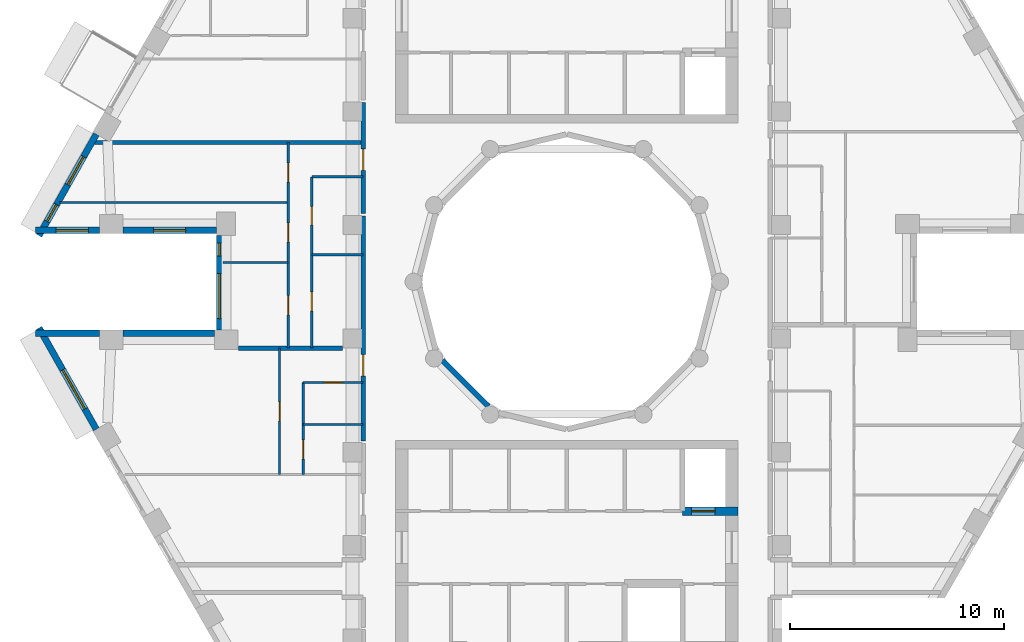
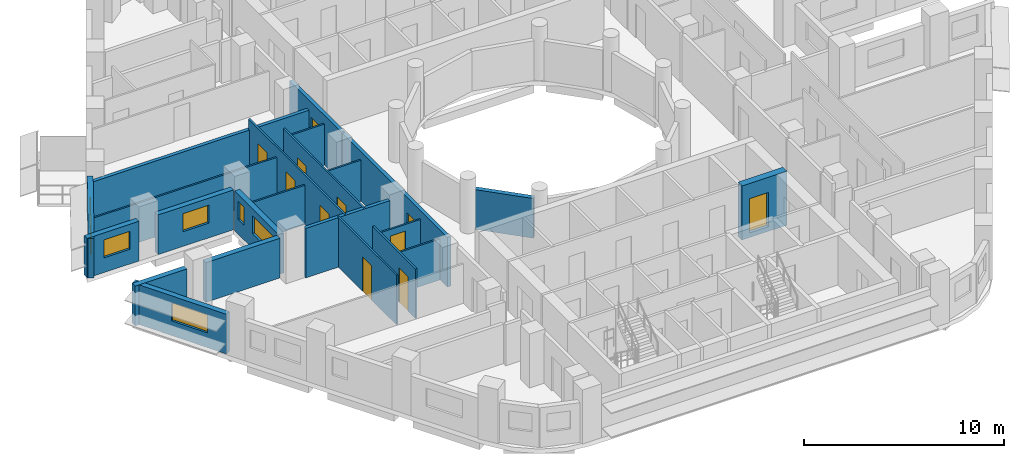
# One storey, part 4 of 13: 23 walls, 11 doors, 7 windows, 18 openings.
"""IFC4 building model written with IfcOpenShell, lengths in metres."""

from ifc_helpers import new_model, si_unit, direction, frame, frame_2d, origin, place, context, subcontext, project, spatial, rectangle, extrude, material, layer, layer_set, type_object, element, fill, save


model = new_model("IFC4")

# Units and contexts
model_context = context("Model", 3, precision=1e-05, world=origin(), true_north=direction((0.0, 1.0)))
body_context = subcontext(model_context, "Body", "Model", "MODEL_VIEW")
ifc_project = project(units=[si_unit("LENGTHUNIT", "METRE"), si_unit("AREAUNIT", "SQUARE_METRE"), si_unit("VOLUMEUNIT", "CUBIC_METRE"), si_unit("PLANEANGLEUNIT", "RADIAN"), si_unit("MASSUNIT", "GRAM", prefix="KILO")], contexts=[model_context])

# Site, building, storey
site_placement = place(None, origin())
site = spatial("IfcSite", under=ifc_project, at=site_placement, CompositionType="ELEMENT")
building_placement = place(site_placement, origin())
building = spatial("IfcBuilding", under=site, at=building_placement, Name="Nakaniwa Court", CompositionType="ELEMENT")
storey_placement = place(building_placement, frame((0.0, 0.0, 242.699951171875)))
storey = spatial("IfcBuildingStorey", under=building, at=storey_placement, Name="L63", CompositionType="ELEMENT", Elevation=242.699951171875)

# Wall, opening, door
ifc_material_1 = material(Name="Acoustic double stud partition")
ifc_layer_1 = layer(ifc_material_1, 0.199951171875)
ifc_layer_set_1 = layer_set([ifc_layer_1], Name="Acoustic double stud partition")
wall_type_1 = type_object("IfcWallType", Name="Acoustic double stud partition 200", PredefinedType="PARTITIONING", material=ifc_layer_set_1)
wall_1_placement = place(storey_placement, frame((70.5, 72.576904296875, 0.0), z_axis=(0.0, 0.0, 1.0), x_axis=(0.0, 1.0, 0.0)))
wall_1 = element("IfcWall", 1, at=wall_1_placement, inside=storey, type_object=wall_type_1, Name="Partition PW-094", PredefinedType="PARTITIONING", context=body_context, shape_type="SweptSolid", body=[
    extrude(rectangle(XDim=10.486083984375, YDim=0.199951171875, at=frame_2d((5.2431640625, 0.0))), origin(), (0.0, 0.0, 1.0), 3.025146484375),
])
opening_1_placement = place(wall_1_placement, frame((3.02294921875, 0.0, 0.0)))
opening_1 = element("IfcOpeningElement", 2, at=opening_1_placement, cuts=wall_1, Name="Opening D-01-03", PredefinedType="OPENING", context=body_context, shape_type="SweptSolid", body=[
    extrude(rectangle(XDim=1.0, YDim=2.10009765625, at=frame_2d((0.5, 1.050048828125))), frame((0.0, 0.10986328125, 0.0), z_axis=(0.0, -1.0, 0.0), x_axis=(1.0, 0.0, 0.0)), (0.0, 0.0, 1.0), 0.219970703125),
])
ifc_material_2 = material(Name="Solid core timber door set, black veneer", Category="wood")
door_type_1 = type_object("IfcDoorType", Name="Flat entrance door 1000", OperationType="NOTDEFINED", PredefinedType="DOOR", material=ifc_material_2)
door_1_placement = place(opening_1_placement, origin())
door_1 = element("IfcDoor", 3, at=door_1_placement, inside=storey, type_object=door_type_1, Name="Door D-01-03 L63-045", OperationType="SINGLE_SWING_RIGHT", OverallHeight=2.10009765625, OverallWidth=1.0, PredefinedType="DOOR", context=body_context, shape_type="SweptSolid", body=[
    extrude(rectangle(XDim=1.0, YDim=2.10009765625, at=frame_2d((0.5, 1.050048828125))), frame((0.0, 0.02490234375, 0.0), z_axis=(0.0, -1.0, 0.0), x_axis=(1.0, 0.0, 0.0)), (0.0, 0.0, 1.0), 0.050048828125),
])
fill(opening_1, door_1)

wall_2_placement = place(storey_placement, frame((70.5, 83.177001953125, 0.0), z_axis=(0.0, 0.0, 1.0), x_axis=(0.0, 1.0, 0.0)))
wall_2 = element("IfcWall", 4, at=wall_2_placement, inside=storey, type_object=wall_type_1, Name="Partition PW-095", PredefinedType="PARTITIONING", context=body_context, shape_type="SweptSolid", body=[
    extrude(rectangle(XDim=5.18603515625, YDim=0.199951171875, at=frame_2d((2.593017578125, 0.0))), origin(), (0.0, 0.0, 1.0), 3.025146484375),
])
opening_2_placement = place(wall_2_placement, frame((2.02294921875, 0.0, 0.0)))
opening_2 = element("IfcOpeningElement", 5, at=opening_2_placement, cuts=wall_2, Name="Opening D-01-04", PredefinedType="OPENING", context=body_context, shape_type="SweptSolid", body=[
    extrude(rectangle(XDim=1.0, YDim=2.10009765625, at=frame_2d((0.5, 1.050048828125))), frame((0.0, 0.10986328125, 0.0), z_axis=(0.0, -1.0, 0.0), x_axis=(1.0, 0.0, 0.0)), (0.0, 0.0, 1.0), 0.219970703125),
])
door_2_placement = place(opening_2_placement, origin())
door_2 = element("IfcDoor", 6, at=door_2_placement, inside=storey, type_object=door_type_1, Name="Door D-01-04 L63-049", OperationType="SINGLE_SWING_RIGHT", OverallHeight=2.10009765625, OverallWidth=1.0, PredefinedType="DOOR", context=body_context, shape_type="SweptSolid", body=[
    extrude(rectangle(XDim=1.0, YDim=2.10009765625, at=frame_2d((0.5, 1.050048828125))), frame((0.0, 0.02490234375, 0.0), z_axis=(0.0, -1.0, 0.0), x_axis=(1.0, 0.0, 0.0)), (0.0, 0.0, 1.0), 0.050048828125),
])
fill(opening_2, door_2)

# Walls
wall_3_placement = place(storey_placement, frame((64.67041015625, 76.89990234375, 0.0), z_axis=(0.0, 0.0, 1.0), x_axis=(1.0, 0.0, 0.0)))
element("IfcWall", 7, at=wall_3_placement, inside=storey, type_object=wall_type_1, Name="Partition PW-118", PredefinedType="PARTITIONING", context=body_context, shape_type="SweptSolid", body=[
    extrude(rectangle(XDim=4.859619140625, YDim=0.199951171875, at=frame_2d((2.4296875, 0.0))), origin(), (0.0, 0.0, 1.0), 3.025146484375),
])
wall_4_placement = place(storey_placement, frame((57.9453125, 86.5, 0.0), z_axis=(0.0, 0.0, 1.0), x_axis=(1.0, 0.0, 0.0)))
element("IfcWall", 8, at=wall_4_placement, inside=storey, type_object=wall_type_1, Name="Partition PW-123", PredefinedType="PARTITIONING", context=body_context, shape_type="SweptSolid", body=[
    extrude(rectangle(XDim=12.5546875, YDim=0.199951171875, at=frame_2d((6.27734375, 0.0))), origin(), (0.0, 0.0, 1.0), 2.405029296875),
])

# Wall, openings, windows
ifc_material_3 = material(Name="Charcoal ceramic cladding")
ifc_layer_2 = layer(ifc_material_3, 0.02, Name="Ceramic cladding")
ifc_material_4 = material(Name="Ventilated air cavity")
ifc_layer_3 = layer(ifc_material_4, 0.04, ventilated=True, Name="Ventilated cavity")
ifc_material_5 = material(Name="Mineral wool insulation")
ifc_layer_4 = layer(ifc_material_5, 0.1, Name="Insulation")
ifc_material_6 = material(Name="Cement bonded sheathing board")
ifc_layer_5 = layer(ifc_material_6, 0.012, Name="Sheathing")
ifc_material_7 = material(Name="Cold-formed galvanised stud frame with mineral wool infill")
ifc_layer_6 = layer(ifc_material_7, 0.1, Name="Stud frame")
ifc_material_8 = material(Name="Fire-rated gypsum plasterboard lining")
ifc_layer_7 = layer(ifc_material_8, 0.028, Name="Lining")
ifc_layer_set_2 = layer_set([ifc_layer_2, ifc_layer_3, ifc_layer_4, ifc_layer_5, ifc_layer_6, ifc_layer_7], Name="Charcoal ceramic faced external wall system")
wall_type_2 = type_object("IfcWallType", Name="Black ceramic faced external wall 300", PredefinedType="SOLIDWALL", material=ifc_layer_set_2)
wall_5_placement = place(storey_placement, frame((58.048095703125, 86.886474609375, 0.0), z_axis=(0.0, 0.0, 1.0), x_axis=(-0.492080931903, -0.870549456641, 0.0)))
wall_5 = element("IfcWall", 9, at=wall_5_placement, inside=storey, type_object=wall_type_2, Name="L63 external wall 14", PredefinedType="SOLIDWALL", context=body_context, shape_type="SweptSolid", body=[
    extrude(rectangle(XDim=5.436767578125, YDim=0.300048828125, at=frame_2d((2.71826171875, 0.0))), origin(), (0.0, 0.0, 1.0), 2.425048828125),
])
opening_3_placement = place(wall_5_placement, frame((1.2060546875, 0.0, 0.89990234375)))
opening_3 = element("IfcOpeningElement", 10, at=opening_3_placement, cuts=wall_5, Name="Opening W5.13", PredefinedType="OPENING", context=body_context, shape_type="SweptSolid", body=[
    extrude(rectangle(XDim=1.5, YDim=1.10009765625, at=frame_2d((0.75, 0.550048828125))), frame((0.0, 0.159912109375, 0.0), z_axis=(0.0, -1.0, 0.0), x_axis=(1.0, 0.0, 0.0)), (0.0, 0.0, 1.0), 0.320068359375),
])
opening_4_placement = place(wall_5_placement, frame((3.774658203125, 0.0, 0.89990234375)))
opening_4 = element("IfcOpeningElement", 11, at=opening_4_placement, cuts=wall_5, Name="Opening W9.14", PredefinedType="OPENING", context=body_context, shape_type="SweptSolid", body=[
    extrude(rectangle(XDim=0.89990234375, YDim=1.10009765625, at=frame_2d((0.449951171875, 0.550048828125))), frame((0.0, 0.159912109375, 0.0), z_axis=(0.0, -1.0, 0.0), x_axis=(1.0, 0.0, 0.0)), (0.0, 0.0, 1.0), 0.320068359375),
])
ifc_material_9 = material(Name="Black anodised aluminium frame with dark low-E laminated double glazing", Category="aluminium")
window_type_1 = type_object("IfcWindowType", Name="Dark glass window 1500x1100 sill 900", PartitioningType="SINGLE_PANEL", PredefinedType="WINDOW", material=ifc_material_9)
window_1_placement = place(opening_3_placement, origin())
window_1 = element("IfcWindow", 12, at=window_1_placement, inside=storey, type_object=window_type_1, Name="L63 bedroom window 14-1", OverallHeight=1.10009765625, OverallWidth=1.5, PartitioningType="SINGLE_PANEL", PredefinedType="WINDOW", context=body_context, shape_type="SweptSolid", body=[
    extrude(rectangle(XDim=1.5, YDim=1.10009765625, at=frame_2d((0.75, 0.550048828125))), frame((0.0, 0.030029296875, 0.0), z_axis=(0.0, -1.0, 0.0), x_axis=(1.0, 0.0, 0.0)), (0.0, 0.0, 1.0), 0.06005859375),
])
fill(opening_3, window_1)
window_type_2 = type_object("IfcWindowType", Name="Dark glass window 900x1100 sill 900", PartitioningType="SINGLE_PANEL", PredefinedType="WINDOW", material=ifc_material_9)
window_2_placement = place(opening_4_placement, origin())
window_2 = element("IfcWindow", 13, at=window_2_placement, inside=storey, type_object=window_type_2, Name="L63 bedroom window 14-2", OverallHeight=1.10009765625, OverallWidth=0.89990234375, PartitioningType="SINGLE_PANEL", PredefinedType="WINDOW", context=body_context, shape_type="SweptSolid", body=[
    extrude(rectangle(XDim=0.89990234375, YDim=1.10009765625, at=frame_2d((0.449951171875, 0.550048828125))), frame((0.0, 0.030029296875, 0.0), z_axis=(0.0, -1.0, 0.0), x_axis=(1.0, 0.0, 0.0)), (0.0, 0.0, 1.0), 0.06005859375),
])
fill(opening_4, window_2)

# Wall, opening, window
wall_6_placement = place(storey_placement, frame((55.2021484375, 82.39990234375, 0.0), z_axis=(0.0, 0.0, 1.0), x_axis=(1.0, 0.0, 0.0)))
wall_6 = element("IfcWall", 14, at=wall_6_placement, inside=storey, type_object=wall_type_2, Name="L63 external wall 15", PredefinedType="SOLIDWALL", context=body_context, shape_type="SweptSolid", body=[
    extrude(rectangle(XDim=2.98779296875, YDim=0.300048828125, at=frame_2d((1.493896484375, 0.0))), origin(), (0.0, 0.0, 1.0), 2.425048828125),
])
opening_5_placement = place(wall_6_placement, frame((0.968994140625, 0.0, 0.89990234375)))
opening_5 = element("IfcOpeningElement", 15, at=opening_5_placement, cuts=wall_6, Name="Opening W5.15", PredefinedType="OPENING", context=body_context, shape_type="SweptSolid", body=[
    extrude(rectangle(XDim=1.5, YDim=1.10009765625, at=frame_2d((0.75, 0.550048828125))), frame((0.0, 0.159912109375, 0.0), z_axis=(0.0, -1.0, 0.0), x_axis=(1.0, 0.0, 0.0)), (0.0, 0.0, 1.0), 0.320068359375),
])
window_3_placement = place(opening_5_placement, origin())
window_3 = element("IfcWindow", 16, at=window_3_placement, inside=storey, type_object=window_type_1, Name="L63 bedroom window 15-0", OverallHeight=1.10009765625, OverallWidth=1.5, PartitioningType="SINGLE_PANEL", PredefinedType="WINDOW", context=body_context, shape_type="SweptSolid", body=[
    extrude(rectangle(XDim=1.5, YDim=1.10009765625, at=frame_2d((0.75, 0.550048828125))), frame((0.0, 0.030029296875, 0.0), z_axis=(0.0, -1.0, 0.0), x_axis=(1.0, 0.0, 0.0)), (0.0, 0.0, 1.0), 0.06005859375),
])
fill(opening_5, window_3)

wall_7_placement = place(storey_placement, frame((59.281982421875, 82.39990234375, 0.0), z_axis=(0.0, 0.0, 1.0), x_axis=(1.0, 0.0, 0.0)))
wall_7 = element("IfcWall", 17, at=wall_7_placement, inside=storey, type_object=wall_type_2, Name="L63 external wall 16", PredefinedType="SOLIDWALL", context=body_context, shape_type="SweptSolid", body=[
    extrude(rectangle(XDim=4.37255859375, YDim=0.300048828125, at=frame_2d((2.186279296875, 0.0))), origin(), (0.0, 0.0, 1.0), 2.425048828125),
])
opening_6_placement = place(wall_7_placement, frame((1.436279296875, 0.0, 0.89990234375)))
opening_6 = element("IfcOpeningElement", 18, at=opening_6_placement, cuts=wall_7, Name="Opening W5.16", PredefinedType="OPENING", context=body_context, shape_type="SweptSolid", body=[
    extrude(rectangle(XDim=1.5, YDim=1.10009765625, at=frame_2d((0.75, 0.550048828125))), frame((0.0, 0.159912109375, 0.0), z_axis=(0.0, -1.0, 0.0), x_axis=(1.0, 0.0, 0.0)), (0.0, 0.0, 1.0), 0.320068359375),
])
window_4_placement = place(opening_6_placement, origin())
window_4 = element("IfcWindow", 19, at=window_4_placement, inside=storey, type_object=window_type_1, Name="L63 bedroom window 16-0", OverallHeight=1.10009765625, OverallWidth=1.5, PartitioningType="SINGLE_PANEL", PredefinedType="WINDOW", context=body_context, shape_type="SweptSolid", body=[
    extrude(rectangle(XDim=1.5, YDim=1.10009765625, at=frame_2d((0.75, 0.550048828125))), frame((0.0, 0.030029296875, 0.0), z_axis=(0.0, -1.0, 0.0), x_axis=(1.0, 0.0, 0.0)), (0.0, 0.0, 1.0), 0.06005859375),
])
fill(opening_6, window_4)

# Wall, openings, windows
wall_8_placement = place(storey_placement, frame((63.800537109375, 82.154052734375, 0.0), z_axis=(0.0, 0.0, 1.0), x_axis=(0.0, -1.0, 0.0)))
wall_8 = element("IfcWall", 20, at=wall_8_placement, inside=storey, type_object=wall_type_2, Name="L63 external wall 17", PredefinedType="SOLIDWALL", context=body_context, shape_type="SweptSolid", body=[
    extrude(rectangle(XDim=4.407958984375, YDim=0.300048828125, at=frame_2d((2.2041015625, 0.0))), origin(), (0.0, 0.0, 1.0), 2.425048828125),
])
opening_7_placement = place(wall_8_placement, frame((0.35205078125, 0.0, 0.89990234375)))
opening_7 = element("IfcOpeningElement", 21, at=opening_7_placement, cuts=wall_8, Name="Opening W8.17", PredefinedType="OPENING", context=body_context, shape_type="SweptSolid", body=[
    extrude(rectangle(XDim=0.60009765625, YDim=1.10009765625, at=frame_2d((0.300048828125, 0.550048828125))), frame((0.0, 0.159912109375, 0.0), z_axis=(0.0, -1.0, 0.0), x_axis=(1.0, 0.0, 0.0)), (0.0, 0.0, 1.0), 0.320068359375),
])
opening_8_placement = place(wall_8_placement, frame((1.76904296875, 0.0, 0.89990234375)))
opening_8 = element("IfcOpeningElement", 22, at=opening_8_placement, cuts=wall_8, Name="Opening W7.18", PredefinedType="OPENING", context=body_context, shape_type="SweptSolid", body=[
    extrude(rectangle(XDim=2.10009765625, YDim=1.10009765625, at=frame_2d((1.050048828125, 0.550048828125))), frame((0.0, 0.159912109375, 0.0), z_axis=(0.0, -1.0, 0.0), x_axis=(1.0, 0.0, 0.0)), (0.0, 0.0, 1.0), 0.320068359375),
])
window_type_3 = type_object("IfcWindowType", Name="Dark glass window 2100x1100 sill 900", PartitioningType="SINGLE_PANEL", PredefinedType="WINDOW", material=ifc_material_9)
window_5_placement = place(opening_8_placement, origin())
window_5 = element("IfcWindow", 23, at=window_5_placement, inside=storey, type_object=window_type_3, Name="L63 living window 17-1", OverallHeight=1.10009765625, OverallWidth=2.10009765625, PartitioningType="SINGLE_PANEL", PredefinedType="WINDOW", context=body_context, shape_type="SweptSolid", body=[
    extrude(rectangle(XDim=2.10009765625, YDim=1.10009765625, at=frame_2d((1.050048828125, 0.550048828125))), frame((0.0, 0.030029296875, 0.0), z_axis=(0.0, -1.0, 0.0), x_axis=(1.0, 0.0, 0.0)), (0.0, 0.0, 1.0), 0.06005859375),
])
fill(opening_8, window_5)
window_type_4 = type_object("IfcWindowType", Name="Dark glass window 600x1100 sill 900", PartitioningType="SINGLE_PANEL", PredefinedType="WINDOW", material=ifc_material_9)
window_6_placement = place(opening_7_placement, origin())
window_6 = element("IfcWindow", 24, at=window_6_placement, inside=storey, type_object=window_type_4, Name="L63 bedroom window 17-0", OverallHeight=1.10009765625, OverallWidth=0.60009765625, PartitioningType="SINGLE_PANEL", PredefinedType="WINDOW", context=body_context, shape_type="SweptSolid", body=[
    extrude(rectangle(XDim=0.60009765625, YDim=1.10009765625, at=frame_2d((0.300048828125, 0.550048828125))), frame((0.0, 0.030029296875, 0.0), z_axis=(0.0, -1.0, 0.0), x_axis=(1.0, 0.0, 0.0)), (0.0, 0.0, 1.0), 0.06005859375),
])
fill(opening_7, window_6)

# Walls
wall_9_placement = place(storey_placement, frame((63.554443359375, 77.60009765625, 0.0), z_axis=(0.0, 0.0, 1.0), x_axis=(-1.0, 0.0, 0.0)))
element("IfcWall", 25, at=wall_9_placement, inside=storey, type_object=wall_type_2, Name="L63 external wall 18", PredefinedType="SOLIDWALL", context=body_context, shape_type="SweptSolid", body=[
    extrude(rectangle(XDim=4.2724609375, YDim=0.300048828125, at=frame_2d((2.13623046875, 0.0))), origin(), (0.0, 0.0, 1.0), 2.425048828125),
])
wall_10_placement = place(storey_placement, frame((58.18994140625, 77.60009765625, 0.0), z_axis=(0.0, 0.0, 1.0), x_axis=(-1.0, 0.0, 0.0)))
element("IfcWall", 26, at=wall_10_placement, inside=storey, type_object=wall_type_2, Name="L63 external wall 19", PredefinedType="SOLIDWALL", context=body_context, shape_type="SweptSolid", body=[
    extrude(rectangle(XDim=2.98779296875, YDim=0.300048828125, at=frame_2d((1.493896484375, 0.0))), origin(), (0.0, 0.0, 1.0), 2.425048828125),
])

# Wall, opening, window
wall_11_placement = place(storey_placement, frame((55.372802734375, 77.846435546875, 0.0), z_axis=(0.0, 0.0, 1.0), x_axis=(0.492080931903, -0.870549456641, 0.0)))
wall_11 = element("IfcWall", 27, at=wall_11_placement, inside=storey, type_object=wall_type_2, Name="L63 external wall 20", PredefinedType="SOLIDWALL", context=body_context, shape_type="SweptSolid", body=[
    extrude(rectangle(XDim=5.436767578125, YDim=0.300048828125, at=frame_2d((2.71826171875, 0.0))), origin(), (0.0, 0.0, 1.0), 2.425048828125),
])
opening_9_placement = place(wall_11_placement, frame((2.247314453125, 0.0, 0.89990234375)))
opening_9 = element("IfcOpeningElement", 28, at=opening_9_placement, cuts=wall_11, Name="Opening W7.19", PredefinedType="OPENING", context=body_context, shape_type="SweptSolid", body=[
    extrude(rectangle(XDim=2.10009765625, YDim=1.10009765625, at=frame_2d((1.050048828125, 0.550048828125))), frame((0.0, 0.159912109375, 0.0), z_axis=(0.0, -1.0, 0.0), x_axis=(1.0, 0.0, 0.0)), (0.0, 0.0, 1.0), 0.320068359375),
])
window_7_placement = place(opening_9_placement, origin())
window_7 = element("IfcWindow", 29, at=window_7_placement, inside=storey, type_object=window_type_3, Name="L63 living window 20-0", OverallHeight=1.10009765625, OverallWidth=2.10009765625, PartitioningType="SINGLE_PANEL", PredefinedType="WINDOW", context=body_context, shape_type="SweptSolid", body=[
    extrude(rectangle(XDim=2.10009765625, YDim=1.10009765625, at=frame_2d((1.050048828125, 0.550048828125))), frame((0.0, 0.030029296875, 0.0), z_axis=(0.0, -1.0, 0.0), x_axis=(1.0, 0.0, 0.0)), (0.0, 0.0, 1.0), 0.06005859375),
])
fill(opening_9, window_7)

# Wall
ifc_layer_8 = layer(ifc_material_3, 0.02, Name="Ceramic cladding")
ifc_layer_9 = layer(ifc_material_4, 0.04, ventilated=True, Name="Ventilated cavity")
ifc_layer_10 = layer(ifc_material_5, 0.075, Name="Insulation")
ifc_layer_11 = layer(ifc_material_6, 0.012, Name="Sheathing")
ifc_layer_12 = layer(ifc_material_7, 0.075, Name="Stud frame")
ifc_layer_13 = layer(ifc_material_8, 0.028, Name="Lining")
ifc_layer_set_3 = layer_set([ifc_layer_8, ifc_layer_9, ifc_layer_10, ifc_layer_11, ifc_layer_12, ifc_layer_13], Name="Charcoal ceramic faced external wall system")
wall_type_3 = type_object("IfcWallType", Name="Charcoal ceramic faced well wall 250", PredefinedType="SOLIDWALL", material=ifc_layer_set_3)
wall_12_placement = place(storey_placement, frame((76.339111328125, 74.1943359375, 0.0), z_axis=(0.0, 0.0, 1.0), x_axis=(-0.707106781187, 0.707106781187, 0.0)))
element("IfcWall", 30, at=wall_12_placement, inside=storey, type_object=wall_type_3, Name="L63 external wall 40", PredefinedType="SOLIDWALL", context=body_context, shape_type="SweptSolid", body=[
    extrude(rectangle(XDim=3.033203125, YDim=0.25, at=frame_2d((1.5166015625, 0.0))), origin(), (0.0, 0.0, 1.0), 2.425048828125),
])

# Wall, opening, door
ifc_material_10 = material(Name="Concrete C80/100", Category="concrete")
ifc_layer_14 = layer(ifc_material_10, 0.39990234375)
ifc_layer_set_4 = layer_set([ifc_layer_14], Name="Concrete C80/100")
wall_type_4 = type_object("IfcWallType", Name="Concrete core spine wall 400 C80", PredefinedType="SHEAR", material=ifc_layer_set_4)
wall_13_placement = place(storey_placement, frame((85.39990234375, 69.300048828125, -0.27490234375), z_axis=(0.0, 0.0, 1.0), x_axis=(1.0, 0.0, 0.0)))
wall_13 = element("IfcWall", 31, at=wall_13_placement, inside=storey, type_object=wall_type_4, Name="Core wall SW-37", PredefinedType="SHEAR", context=body_context, shape_type="SweptSolid", body=[
    extrude(rectangle(XDim=2.60009765625, YDim=0.39990234375, at=frame_2d((1.300048828125, 0.0))), origin(), (0.0, 0.0, 1.0), 3.300048828125),
])
opening_10_placement = place(wall_13_placement, frame((0.425048828125, 0.0, 0.27490234375)))
opening_10 = element("IfcOpeningElement", 32, at=opening_10_placement, cuts=wall_13, Name="Opening LD03", PredefinedType="OPENING", context=body_context, shape_type="SweptSolid", body=[
    extrude(rectangle(XDim=1.10009765625, YDim=2.10009765625, at=frame_2d((0.550048828125, 1.050048828125))), frame((0.0, 0.2099609375, 0.0), z_axis=(0.0, -1.0, 0.0), x_axis=(1.0, 0.0, 0.0)), (0.0, 0.0, 1.0), 0.419921875),
])
ifc_material_11 = material(Name="Stainless steel sliding lift landing door", Category="steel")
door_type_2 = type_object("IfcDoorType", Name="Lift landing door 1100", OperationType="NOTDEFINED", PredefinedType="DOOR", material=ifc_material_11)
door_3_placement = place(opening_10_placement, origin())
door_3 = element("IfcDoor", 33, at=door_3_placement, inside=storey, type_object=door_type_2, Name="Lift landing door LD03 L63-003", OperationType="SLIDING_TO_LEFT", OverallHeight=2.10009765625, OverallWidth=1.10009765625, PredefinedType="DOOR", context=body_context, shape_type="SweptSolid", body=[
    extrude(rectangle(XDim=1.10009765625, YDim=2.10009765625, at=frame_2d((0.550048828125, 1.050048828125))), frame((0.0, 0.02490234375, 0.0), z_axis=(0.0, -1.0, 0.0), x_axis=(1.0, 0.0, 0.0)), (0.0, 0.0, 1.0), 0.050048828125),
])
fill(opening_10, door_3)

# Wall
ifc_material_12 = material(Name="Single stud plasterboard partition")
ifc_layer_15 = layer(ifc_material_12, 0.10009765625)
ifc_layer_set_5 = layer_set([ifc_layer_15], Name="Single stud plasterboard partition")
wall_type_5 = type_object("IfcWallType", Name="Single stud plasterboard partition 100", PredefinedType="PARTITIONING", material=ifc_layer_set_5)
wall_14_placement = place(storey_placement, frame((67.699951171875, 73.345947265625, 0.0), z_axis=(0.0, 0.0, 1.0), x_axis=(1.0, 0.0, 0.0)))
element("IfcWall", 34, at=wall_14_placement, inside=storey, type_object=wall_type_5, Name="Partition PW-113", PredefinedType="PARTITIONING", context=body_context, shape_type="SweptSolid", body=[
    extrude(rectangle(XDim=2.800048828125, YDim=0.10009765625, at=frame_2d((1.39990234375, 0.0))), origin(), (0.0, 0.0, 1.0), 2.505126953125),
])

# Wall, opening, door
wall_15_placement = place(storey_placement, frame((67.699951171875, 75.300048828125, 0.0), z_axis=(0.0, 0.0, 1.0), x_axis=(0.0, -1.0, 0.0)))
wall_15 = element("IfcWall", 35, at=wall_15_placement, inside=storey, type_object=wall_type_5, Name="Partition PW-114", PredefinedType="PARTITIONING", context=body_context, shape_type="SweptSolid", body=[
    extrude(rectangle(XDim=4.300048828125, YDim=0.10009765625, at=frame_2d((2.14990234375, 0.0))), origin(), (0.0, 0.0, 1.0), 3.025146484375),
])
opening_11_placement = place(wall_15_placement, frame((2.677001953125, 0.0, 0.0)))
opening_11 = element("IfcOpeningElement", 36, at=opening_11_placement, cuts=wall_15, Name="Opening D-33-07", PredefinedType="OPENING", context=body_context, shape_type="SweptSolid", body=[
    extrude(rectangle(XDim=0.89990234375, YDim=2.10009765625, at=frame_2d((0.449951171875, 1.050048828125))), frame((0.0, 0.06005859375, 0.0), z_axis=(0.0, -1.0, 0.0), x_axis=(1.0, 0.0, 0.0)), (0.0, 0.0, 1.0), 0.1201171875),
])
door_type_3 = type_object("IfcDoorType", Name="Internal door 900", OperationType="NOTDEFINED", PredefinedType="DOOR", material=ifc_material_2)
door_4_placement = place(opening_11_placement, origin())
door_4 = element("IfcDoor", 37, at=door_4_placement, inside=storey, type_object=door_type_3, Name="Door D-33-07 L63-046", OperationType="SINGLE_SWING_LEFT", OverallHeight=2.10009765625, OverallWidth=0.89990234375, PredefinedType="DOOR", context=body_context, shape_type="SweptSolid", body=[
    extrude(rectangle(XDim=0.89990234375, YDim=2.10009765625, at=frame_2d((0.449951171875, 1.050048828125))), frame((0.0, 0.02490234375, 0.0), z_axis=(0.0, -1.0, 0.0), x_axis=(1.0, 0.0, 0.0)), (0.0, 0.0, 1.0), 0.050048828125),
])
fill(opening_11, door_4)

wall_16_placement = place(storey_placement, frame((70.5, 75.300048828125, 0.0), z_axis=(0.0, 0.0, 1.0), x_axis=(-1.0, 0.0, 0.0)))
wall_16 = element("IfcWall", 38, at=wall_16_placement, inside=storey, type_object=wall_type_5, Name="Partition PW-116", PredefinedType="PARTITIONING", context=body_context, shape_type="SweptSolid", body=[
    extrude(rectangle(XDim=2.800048828125, YDim=0.10009765625, at=frame_2d((1.39990234375, 0.0))), origin(), (0.0, 0.0, 1.0), 2.505126953125),
])
opening_12_placement = place(wall_16_placement, frame((0.97509765625, 0.0, 0.0)))
opening_12 = element("IfcOpeningElement", 39, at=opening_12_placement, cuts=wall_16, Name="Opening D-03-03", PredefinedType="OPENING", context=body_context, shape_type="SweptSolid", body=[
    extrude(rectangle(XDim=0.85009765625, YDim=2.10009765625, at=frame_2d((0.425048828125, 1.050048828125))), frame((0.0, 0.06005859375, 0.0), z_axis=(0.0, -1.0, 0.0), x_axis=(1.0, 0.0, 0.0)), (0.0, 0.0, 1.0), 0.1201171875),
])
ifc_material_13 = material(Name="Moisture sealed timber door set", Category="wood")
door_type_4 = type_object("IfcDoorType", Name="Bathroom door 850", OperationType="NOTDEFINED", PredefinedType="DOOR", material=ifc_material_13)
door_5_placement = place(opening_12_placement, origin())
door_5 = element("IfcDoor", 40, at=door_5_placement, inside=storey, type_object=door_type_4, Name="Door D-03-03 L63-047", OperationType="SINGLE_SWING_RIGHT", OverallHeight=2.10009765625, OverallWidth=0.85009765625, PredefinedType="DOOR", context=body_context, shape_type="SweptSolid", body=[
    extrude(rectangle(XDim=0.85009765625, YDim=2.10009765625, at=frame_2d((0.425048828125, 1.050048828125))), frame((0.0, 0.02490234375, 0.0), z_axis=(0.0, -1.0, 0.0), x_axis=(1.0, 0.0, 0.0)), (0.0, 0.0, 1.0), 0.050048828125),
])
fill(opening_12, door_5)

wall_17_placement = place(storey_placement, frame((66.60009765625, 71.0, 0.0), z_axis=(0.0, 0.0, 1.0), x_axis=(0.0, 1.0, 0.0)))
wall_17 = element("IfcWall", 41, at=wall_17_placement, inside=storey, type_object=wall_type_5, Name="Partition PW-117", PredefinedType="PARTITIONING", context=body_context, shape_type="SweptSolid", body=[
    extrude(rectangle(XDim=5.89990234375, YDim=0.10009765625, at=frame_2d((2.949951171875, 0.0))), origin(), (0.0, 0.0, 1.0), 3.025146484375),
])
opening_13_placement = place(wall_17_placement, frame((2.5, 0.0, 0.0)))
opening_13 = element("IfcOpeningElement", 42, at=opening_13_placement, cuts=wall_17, Name="Opening D-33-08", PredefinedType="OPENING", context=body_context, shape_type="SweptSolid", body=[
    extrude(rectangle(XDim=0.89990234375, YDim=2.10009765625, at=frame_2d((0.449951171875, 1.050048828125))), frame((0.0, 0.06005859375, 0.0), z_axis=(0.0, -1.0, 0.0), x_axis=(1.0, 0.0, 0.0)), (0.0, 0.0, 1.0), 0.1201171875),
])
door_6_placement = place(opening_13_placement, origin())
door_6 = element("IfcDoor", 43, at=door_6_placement, inside=storey, type_object=door_type_3, Name="Door D-33-08 L63-048", OperationType="SINGLE_SWING_LEFT", OverallHeight=2.10009765625, OverallWidth=0.89990234375, PredefinedType="DOOR", context=body_context, shape_type="SweptSolid", body=[
    extrude(rectangle(XDim=0.89990234375, YDim=2.10009765625, at=frame_2d((0.449951171875, 1.050048828125))), frame((0.0, 0.02490234375, 0.0), z_axis=(0.0, -1.0, 0.0), x_axis=(1.0, 0.0, 0.0)), (0.0, 0.0, 1.0), 0.050048828125),
])
fill(opening_13, door_6)

# Wall
wall_18_placement = place(storey_placement, frame((68.10009765625, 81.263916015625, 0.0), z_axis=(0.0, 0.0, 1.0), x_axis=(1.0, 0.0, 0.0)))
element("IfcWall", 44, at=wall_18_placement, inside=storey, type_object=wall_type_5, Name="Partition PW-119", PredefinedType="PARTITIONING", context=body_context, shape_type="SweptSolid", body=[
    extrude(rectangle(XDim=2.39990234375, YDim=0.10009765625, at=frame_2d((1.199951171875, 0.0))), origin(), (0.0, 0.0, 1.0), 2.505126953125),
])

# Wall, openings, doors
wall_19_placement = place(storey_placement, frame((68.10009765625, 84.89990234375, 0.0), z_axis=(0.0, 0.0, 1.0), x_axis=(0.0, -1.0, 0.0)))
wall_19 = element("IfcWall", 45, at=wall_19_placement, inside=storey, type_object=wall_type_5, Name="Partition PW-120", PredefinedType="PARTITIONING", context=body_context, shape_type="SweptSolid", body=[
    extrude(rectangle(XDim=8.0, YDim=0.10009765625, at=frame_2d((4.0, 0.0))), origin(), (0.0, 0.0, 1.0), 3.025146484375),
])
opening_14_placement = place(wall_19_placement, frame((5.367919921875, 0.0, 0.0)))
opening_14 = element("IfcOpeningElement", 46, at=opening_14_placement, cuts=wall_19, Name="Opening D-33-09", PredefinedType="OPENING", context=body_context, shape_type="SweptSolid", body=[
    extrude(rectangle(XDim=0.89990234375, YDim=2.10009765625, at=frame_2d((0.449951171875, 1.050048828125))), frame((0.0, 0.06005859375, 0.0), z_axis=(0.0, -1.0, 0.0), x_axis=(1.0, 0.0, 0.0)), (0.0, 0.0, 1.0), 0.1201171875),
])
opening_15_placement = place(wall_19_placement, frame((1.39306640625, 0.0, 0.0)))
opening_15 = element("IfcOpeningElement", 47, at=opening_15_placement, cuts=wall_19, Name="Opening D-03-04", PredefinedType="OPENING", context=body_context, shape_type="SweptSolid", body=[
    extrude(rectangle(XDim=0.85009765625, YDim=2.10009765625, at=frame_2d((0.425048828125, 1.050048828125))), frame((0.0, 0.06005859375, 0.0), z_axis=(0.0, -1.0, 0.0), x_axis=(1.0, 0.0, 0.0)), (0.0, 0.0, 1.0), 0.1201171875),
])
door_7_placement = place(opening_15_placement, origin())
door_7 = element("IfcDoor", 48, at=door_7_placement, inside=storey, type_object=door_type_4, Name="Door D-03-04 L63-051", OperationType="SINGLE_SWING_RIGHT", OverallHeight=2.10009765625, OverallWidth=0.85009765625, PredefinedType="DOOR", context=body_context, shape_type="SweptSolid", body=[
    extrude(rectangle(XDim=0.85009765625, YDim=2.10009765625, at=frame_2d((0.425048828125, 1.050048828125))), frame((0.0, 0.02490234375, 0.0), z_axis=(0.0, -1.0, 0.0), x_axis=(1.0, 0.0, 0.0)), (0.0, 0.0, 1.0), 0.050048828125),
])
fill(opening_15, door_7)
door_8_placement = place(opening_14_placement, origin())
door_8 = element("IfcDoor", 49, at=door_8_placement, inside=storey, type_object=door_type_3, Name="Door D-33-09 L63-050", OperationType="SINGLE_SWING_LEFT", OverallHeight=2.10009765625, OverallWidth=0.89990234375, PredefinedType="DOOR", context=body_context, shape_type="SweptSolid", body=[
    extrude(rectangle(XDim=0.89990234375, YDim=2.10009765625, at=frame_2d((0.449951171875, 1.050048828125))), frame((0.0, 0.02490234375, 0.0), z_axis=(0.0, -1.0, 0.0), x_axis=(1.0, 0.0, 0.0)), (0.0, 0.0, 1.0), 0.050048828125),
])
fill(opening_14, door_8)

# Wall
wall_20_placement = place(storey_placement, frame((68.10009765625, 84.89990234375, 0.0), z_axis=(0.0, 0.0, 1.0), x_axis=(1.0, 0.0, 0.0)))
element("IfcWall", 50, at=wall_20_placement, inside=storey, type_object=wall_type_5, Name="Partition PW-121", PredefinedType="PARTITIONING", context=body_context, shape_type="SweptSolid", body=[
    extrude(rectangle(XDim=2.39990234375, YDim=0.10009765625, at=frame_2d((1.199951171875, 0.0))), origin(), (0.0, 0.0, 1.0), 2.505126953125),
])

# Wall, openings, doors
wall_21_placement = place(storey_placement, frame((67.0, 76.89990234375, 0.0), z_axis=(0.0, 0.0, 1.0), x_axis=(0.0, 1.0, 0.0)))
wall_21 = element("IfcWall", 51, at=wall_21_placement, inside=storey, type_object=wall_type_5, Name="Partition PW-122", PredefinedType="PARTITIONING", context=body_context, shape_type="SweptSolid", body=[
    extrude(rectangle(XDim=9.60009765625, YDim=0.10009765625, at=frame_2d((4.800048828125, 0.0))), origin(), (0.0, 0.0, 1.0), 3.025146484375),
])
opening_16_placement = place(wall_21_placement, frame((1.550048828125, 0.0, 0.0)))
opening_16 = element("IfcOpeningElement", 52, at=opening_16_placement, cuts=wall_21, Name="Opening D-33-10", PredefinedType="OPENING", context=body_context, shape_type="SweptSolid", body=[
    extrude(rectangle(XDim=0.89990234375, YDim=2.10009765625, at=frame_2d((0.449951171875, 1.050048828125))), frame((0.0, 0.06005859375, 0.0), z_axis=(0.0, -1.0, 0.0), x_axis=(1.0, 0.0, 0.0)), (0.0, 0.0, 1.0), 0.1201171875),
])
opening_17_placement = place(wall_21_placement, frame((4.949951171875, 0.0, 0.0)))
opening_17 = element("IfcOpeningElement", 53, at=opening_17_placement, cuts=wall_21, Name="Opening D-33-11", PredefinedType="OPENING", context=body_context, shape_type="SweptSolid", body=[
    extrude(rectangle(XDim=0.89990234375, YDim=2.10009765625, at=frame_2d((0.449951171875, 1.050048828125))), frame((0.0, 0.06005859375, 0.0), z_axis=(0.0, -1.0, 0.0), x_axis=(1.0, 0.0, 0.0)), (0.0, 0.0, 1.0), 0.1201171875),
])
opening_18_placement = place(wall_21_placement, frame((7.75, 0.0, 0.0)))
opening_18 = element("IfcOpeningElement", 54, at=opening_18_placement, cuts=wall_21, Name="Opening D-33-12", PredefinedType="OPENING", context=body_context, shape_type="SweptSolid", body=[
    extrude(rectangle(XDim=0.89990234375, YDim=2.10009765625, at=frame_2d((0.449951171875, 1.050048828125))), frame((0.0, 0.06005859375, 0.0), z_axis=(0.0, -1.0, 0.0), x_axis=(1.0, 0.0, 0.0)), (0.0, 0.0, 1.0), 0.1201171875),
])
door_9_placement = place(opening_16_placement, origin())
door_9 = element("IfcDoor", 55, at=door_9_placement, inside=storey, type_object=door_type_3, Name="Door D-33-10 L63-052", OperationType="SINGLE_SWING_LEFT", OverallHeight=2.10009765625, OverallWidth=0.89990234375, PredefinedType="DOOR", context=body_context, shape_type="SweptSolid", body=[
    extrude(rectangle(XDim=0.89990234375, YDim=2.10009765625, at=frame_2d((0.449951171875, 1.050048828125))), frame((0.0, 0.02490234375, 0.0), z_axis=(0.0, -1.0, 0.0), x_axis=(1.0, 0.0, 0.0)), (0.0, 0.0, 1.0), 0.050048828125),
])
fill(opening_16, door_9)
door_10_placement = place(opening_17_placement, origin())
door_10 = element("IfcDoor", 56, at=door_10_placement, inside=storey, type_object=door_type_3, Name="Door D-33-11 L63-053", OperationType="SINGLE_SWING_RIGHT", OverallHeight=2.10009765625, OverallWidth=0.89990234375, PredefinedType="DOOR", context=body_context, shape_type="SweptSolid", body=[
    extrude(rectangle(XDim=0.89990234375, YDim=2.10009765625, at=frame_2d((0.449951171875, 1.050048828125))), frame((0.0, 0.02490234375, 0.0), z_axis=(0.0, -1.0, 0.0), x_axis=(1.0, 0.0, 0.0)), (0.0, 0.0, 1.0), 0.050048828125),
])
fill(opening_17, door_10)
door_11_placement = place(opening_18_placement, origin())
door_11 = element("IfcDoor", 57, at=door_11_placement, inside=storey, type_object=door_type_3, Name="Door D-33-12 L63-054", OperationType="SINGLE_SWING_LEFT", OverallHeight=2.10009765625, OverallWidth=0.89990234375, PredefinedType="DOOR", context=body_context, shape_type="SweptSolid", body=[
    extrude(rectangle(XDim=0.89990234375, YDim=2.10009765625, at=frame_2d((0.449951171875, 1.050048828125))), frame((0.0, 0.02490234375, 0.0), z_axis=(0.0, -1.0, 0.0), x_axis=(1.0, 0.0, 0.0)), (0.0, 0.0, 1.0), 0.050048828125),
])
fill(opening_18, door_11)

# Walls
wall_22_placement = place(storey_placement, frame((63.950439453125, 80.89990234375, 0.0), z_axis=(0.0, 0.0, 1.0), x_axis=(1.0, 0.0, 0.0)))
element("IfcWall", 58, at=wall_22_placement, inside=storey, type_object=wall_type_5, Name="Partition PW-124", PredefinedType="PARTITIONING", context=body_context, shape_type="SweptSolid", body=[
    extrude(rectangle(XDim=3.049560546875, YDim=0.10009765625, at=frame_2d((1.52490234375, 0.0))), origin(), (0.0, 0.0, 1.0), 2.405029296875),
])
wall_23_placement = place(storey_placement, frame((56.32861328125, 83.699951171875, 0.0), z_axis=(0.0, 0.0, 1.0), x_axis=(1.0, 0.0, 0.0)))
element("IfcWall", 59, at=wall_23_placement, inside=storey, type_object=wall_type_5, Name="Partition PW-125", PredefinedType="PARTITIONING", context=body_context, shape_type="SweptSolid", body=[
    extrude(rectangle(XDim=10.67138671875, YDim=0.10009765625, at=frame_2d((5.335693359375, 0.0))), origin(), (0.0, 0.0, 1.0), 2.405029296875),
])

save(model, "model.ifc")
